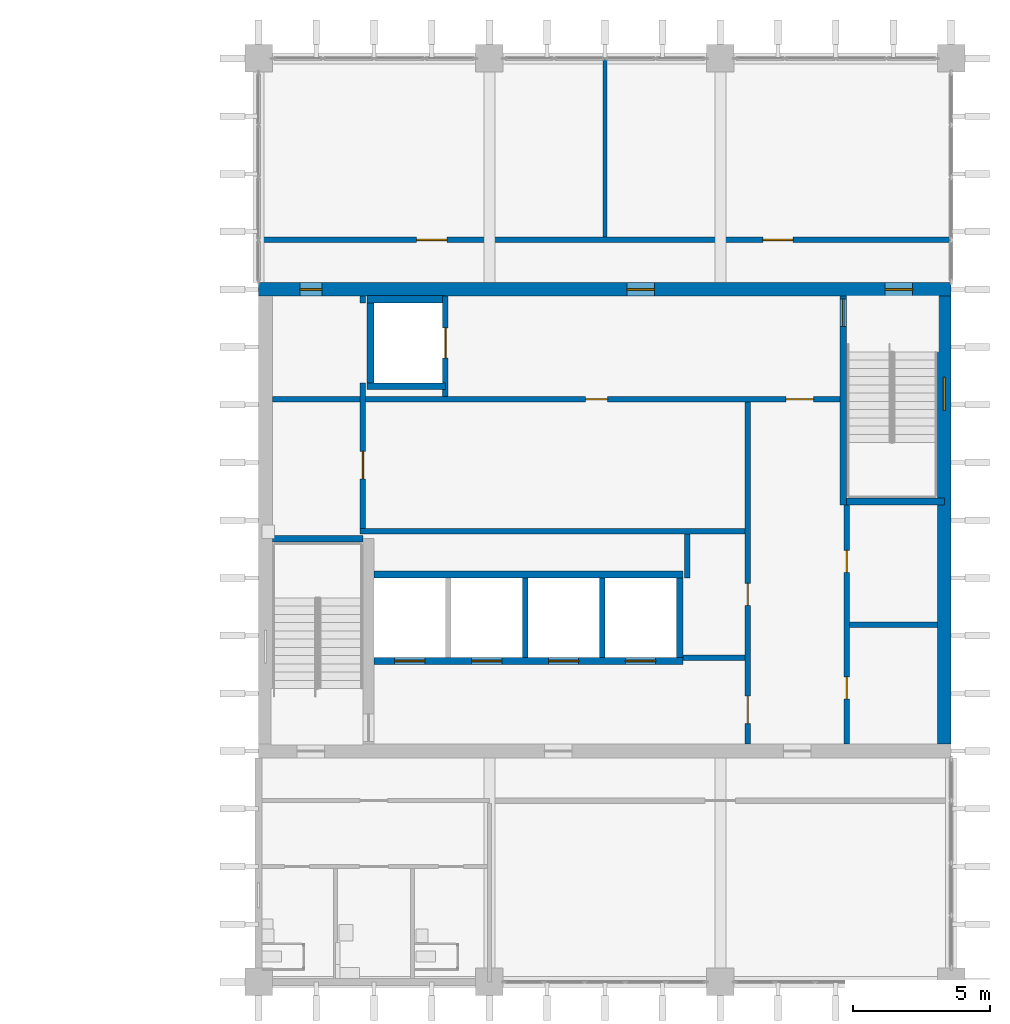
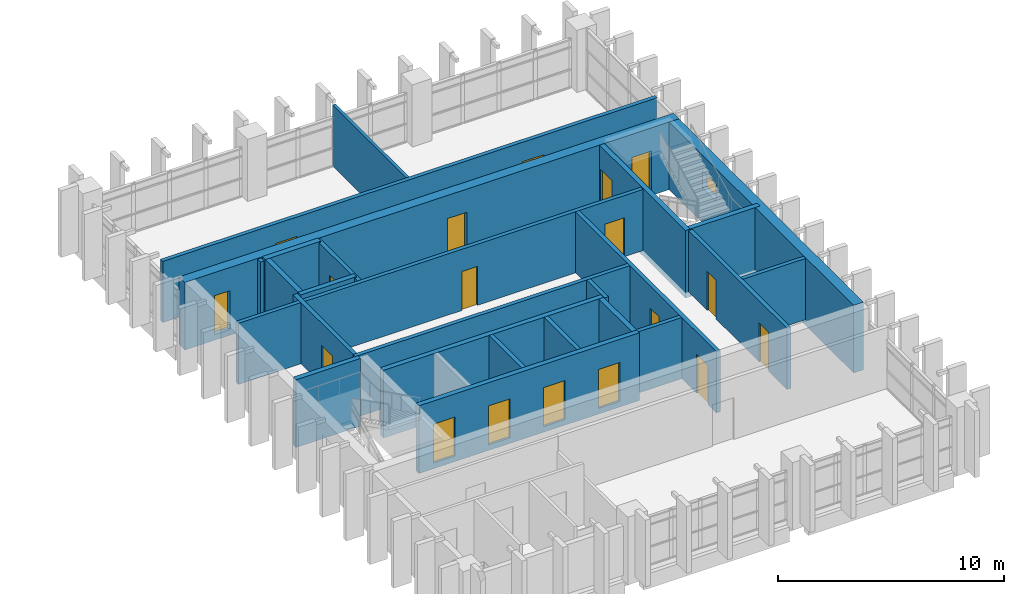
# One storey, part 18 of 24: 25 walls, 18 doors, 1 window, 19 openings.
"""IFC4 building model written with IfcOpenShell, lengths in metres."""

from ifc_helpers import new_model, si_unit, direction, frame, frame_2d, origin, place, context, subcontext, project, spatial, rectangle, extrude, material, layer, layer_set, type_object, element, fill, save


model = new_model("IFC4")

# Units and contexts
model_context = context("Model", 3, precision=1e-05, world=origin(), true_north=direction((0.0, 1.0)))
body_context = subcontext(model_context, "Body", "Model", "MODEL_VIEW")
ifc_project = project(units=[si_unit("LENGTHUNIT", "METRE"), si_unit("AREAUNIT", "SQUARE_METRE"), si_unit("VOLUMEUNIT", "CUBIC_METRE"), si_unit("PLANEANGLEUNIT", "RADIAN"), si_unit("MASSUNIT", "GRAM", prefix="KILO")], contexts=[model_context])

# Site, building, storey
site_placement = place(None, origin())
site = spatial("IfcSite", under=ifc_project, at=site_placement, CompositionType="ELEMENT")
building_placement = place(site_placement, origin())
building = spatial("IfcBuilding", under=site, at=building_placement, Name="Rulbaag Community and Learning Centre", CompositionType="ELEMENT")
storey_placement = place(building_placement, frame((0.0, 0.0, 14.39990234375)))
storey = spatial("IfcBuildingStorey", under=building, at=storey_placement, Name="L03", CompositionType="ELEMENT", Elevation=14.39990234375)

# Walls
ifc_material_1 = material(Name="Concrete blockwork", Category="masonry")
ifc_layer_1 = layer(ifc_material_1, 0.199951171875)
ifc_layer_set_1 = layer_set([ifc_layer_1], Name="FW-200 FIRE WALL 200")
wall_type_1 = type_object("IfcWallType", Name="FW-200 FIRE WALL 200", PredefinedType="SOLIDWALL", material=ifc_layer_set_1)
wall_1_placement = place(storey_placement, frame((158.25, 95.800048828125, 0.0), z_axis=(0.0, 0.0, 1.0), x_axis=(1.0, 0.0, 0.0)))
element("IfcWall", 1, at=wall_1_placement, inside=storey, type_object=wall_type_1, Name="Fire wall L03 14", PredefinedType="SOLIDWALL", context=body_context, shape_type="SweptSolid", body=[
    extrude(rectangle(XDim=2.25, YDim=0.199951171875, at=frame_2d((1.125, 0.0))), origin(), (0.0, 0.0, 1.0), 3.300048828125),
])
wall_2_placement = place(storey_placement, frame((164.300048828125, 97.0, 0.0), z_axis=(0.0, 0.0, 1.0), x_axis=(1.0, 0.0, 0.0)))
element("IfcWall", 2, at=wall_2_placement, inside=storey, type_object=wall_type_1, Name="Fire wall L03 15", PredefinedType="SOLIDWALL", context=body_context, shape_type="SweptSolid", body=[
    extrude(rectangle(XDim=3.199951171875, YDim=0.199951171875, at=frame_2d((1.60009765625, 0.0))), origin(), (0.0, 0.0, 1.0), 3.300048828125),
])
wall_3_placement = place(storey_placement, frame((146.5, 100.39990234375, 0.0), z_axis=(0.0, 0.0, 1.0), x_axis=(1.0, 0.0, 0.0)))
element("IfcWall", 3, at=wall_3_placement, inside=storey, type_object=wall_type_1, Name="Fire wall L03 17", PredefinedType="SOLIDWALL", context=body_context, shape_type="SweptSolid", body=[
    extrude(rectangle(XDim=14.0, YDim=0.199951171875, at=frame_2d((7.0, 0.0))), origin(), (0.0, 0.0, 1.0), 3.300048828125),
])

# Wall, openings, doors
wall_4_placement = place(storey_placement, frame((143.300048828125, 105.199951171875, 0.0), z_axis=(0.0, 0.0, 1.0), x_axis=(1.0, 0.0, 0.0)))
wall_4 = element("IfcWall", 4, at=wall_4_placement, inside=storey, type_object=wall_type_1, Name="Fire wall L03 18", PredefinedType="SOLIDWALL", context=body_context, shape_type="SweptSolid", body=[
    extrude(rectangle(XDim=20.64990234375, YDim=0.199951171875, at=frame_2d((10.324951171875, 0.0))), origin(), (0.0, 0.0, 1.0), 3.300048828125),
])
opening_1_placement = place(wall_4_placement, frame((11.39990234375, 0.0, 0.0)))
opening_1 = element("IfcOpeningElement", 5, at=opening_1_placement, cuts=wall_4, Name="Opening L03-D045", PredefinedType="OPENING", context=body_context, shape_type="SweptSolid", body=[
    extrude(rectangle(XDim=0.800048828125, YDim=2.10009765625, at=frame_2d((0.39990234375, 1.050048828125))), frame((0.0, 0.10986328125, 0.0), z_axis=(0.0, -1.0, 0.0), x_axis=(1.0, 0.0, 0.0)), (0.0, 0.0, 1.0), 0.219970703125),
])
opening_2_placement = place(wall_4_placement, frame((18.699951171875, 0.0, 0.0)))
opening_2 = element("IfcOpeningElement", 6, at=opening_2_placement, cuts=wall_4, Name="Opening L03-D055", PredefinedType="OPENING", context=body_context, shape_type="SweptSolid", body=[
    extrude(rectangle(XDim=1.0, YDim=2.10009765625, at=frame_2d((0.5, 1.050048828125))), frame((0.0, 0.10986328125, 0.0), z_axis=(0.0, -1.0, 0.0), x_axis=(1.0, 0.0, 0.0)), (0.0, 0.0, 1.0), 0.219970703125),
])
ifc_material_2 = material(Name="Galvanised steel", Category="steel")
door_type_1 = type_object("IfcDoorType", Name="FD-1000 FIRE DOOR 1000 x 2100", OperationType="SINGLE_SWING_LEFT", PredefinedType="DOOR", material=ifc_material_2)
door_1_placement = place(opening_2_placement, origin())
door_1 = element("IfcDoor", 7, at=door_1_placement, inside=storey, type_object=door_type_1, Name="Door L03-D055", OperationType="SINGLE_SWING_LEFT", OverallHeight=2.10009765625, OverallWidth=1.0, PredefinedType="DOOR", context=body_context, shape_type="SweptSolid", body=[
    extrude(rectangle(XDim=1.0, YDim=2.10009765625, at=frame_2d((0.5, 1.050048828125))), frame((0.0, 0.02490234375, 0.0), z_axis=(0.0, -1.0, 0.0), x_axis=(1.0, 0.0, 0.0)), (0.0, 0.0, 1.0), 0.050048828125),
])
fill(opening_2, door_1)
door_type_2 = type_object("IfcDoorType", Name="FDR-800 RISER FIRE DOOR 800 x 2100", OperationType="SINGLE_SWING_LEFT", PredefinedType="DOOR", material=ifc_material_2)
door_2_placement = place(opening_1_placement, origin())
door_2 = element("IfcDoor", 8, at=door_2_placement, inside=storey, type_object=door_type_2, Name="Riser door L03-D027", OperationType="SINGLE_SWING_RIGHT", OverallHeight=2.10009765625, OverallWidth=0.800048828125, PredefinedType="DOOR", context=body_context, shape_type="SweptSolid", body=[
    extrude(rectangle(XDim=0.800048828125, YDim=2.10009765625, at=frame_2d((0.39990234375, 1.050048828125))), frame((0.0, 0.02490234375, 0.0), z_axis=(0.0, -1.0, 0.0), x_axis=(1.0, 0.0, 0.0)), (0.0, 0.0, 1.0), 0.050048828125),
])
fill(opening_1, door_2)

wall_5_placement = place(storey_placement, frame((142.800048828125, 111.0, 0.0), z_axis=(0.0, 0.0, 1.0), x_axis=(1.0, 0.0, 0.0)))
wall_5 = element("IfcWall", 9, at=wall_5_placement, inside=storey, type_object=wall_type_1, Name="Fire wall L03 19", PredefinedType="SOLIDWALL", context=body_context, shape_type="SweptSolid", body=[
    extrude(rectangle(XDim=25.199951171875, YDim=0.199951171875, at=frame_2d((12.60009765625, 0.0))), origin(), (0.0, 0.0, 1.0), 3.300048828125),
])
opening_3_placement = place(wall_5_placement, frame((5.75, 0.0, 0.0)))
opening_3 = element("IfcOpeningElement", 10, at=opening_3_placement, cuts=wall_5, Name="Opening L03-D038", PredefinedType="OPENING", context=body_context, shape_type="SweptSolid", body=[
    extrude(rectangle(XDim=1.10009765625, YDim=2.25, at=frame_2d((0.550048828125, 1.125))), frame((0.0, 0.10986328125, 0.0), z_axis=(0.0, -1.0, 0.0), x_axis=(1.0, 0.0, 0.0)), (0.0, 0.0, 1.0), 0.219970703125),
])
opening_4_placement = place(wall_5_placement, frame((18.35009765625, 0.0, 0.0)))
opening_4 = element("IfcOpeningElement", 11, at=opening_4_placement, cuts=wall_5, Name="Opening L03-D052", PredefinedType="OPENING", context=body_context, shape_type="SweptSolid", body=[
    extrude(rectangle(XDim=1.10009765625, YDim=2.25, at=frame_2d((0.550048828125, 1.125))), frame((0.0, 0.10986328125, 0.0), z_axis=(0.0, -1.0, 0.0), x_axis=(1.0, 0.0, 0.0)), (0.0, 0.0, 1.0), 0.219970703125),
])
ifc_material_3 = material(Name="Timber", Category="wood")
door_type_3 = type_object("IfcDoorType", Name="D-1100 OFFICE SUITE ENTRANCE DOOR 1100 x 2250", OperationType="SINGLE_SWING_LEFT", PredefinedType="DOOR", material=ifc_material_3)
door_3_placement = place(opening_3_placement, origin())
door_3 = element("IfcDoor", 12, at=door_3_placement, inside=storey, type_object=door_type_3, Name="Door L03-D038", OperationType="SINGLE_SWING_RIGHT", OverallHeight=2.25, OverallWidth=1.10009765625, PredefinedType="DOOR", context=body_context, shape_type="SweptSolid", body=[
    extrude(rectangle(XDim=1.10009765625, YDim=2.25, at=frame_2d((0.550048828125, 1.125))), frame((0.0, 0.02490234375, 0.0), z_axis=(0.0, -1.0, 0.0), x_axis=(1.0, 0.0, 0.0)), (0.0, 0.0, 1.0), 0.050048828125),
])
fill(opening_3, door_3)
door_4_placement = place(opening_4_placement, origin())
door_4 = element("IfcDoor", 13, at=door_4_placement, inside=storey, type_object=door_type_3, Name="Door L03-D052", OperationType="SINGLE_SWING_LEFT", OverallHeight=2.25, OverallWidth=1.10009765625, PredefinedType="DOOR", context=body_context, shape_type="SweptSolid", body=[
    extrude(rectangle(XDim=1.10009765625, YDim=2.25, at=frame_2d((0.550048828125, 1.125))), frame((0.0, 0.02490234375, 0.0), z_axis=(0.0, -1.0, 0.0), x_axis=(1.0, 0.0, 0.0)), (0.0, 0.0, 1.0), 0.050048828125),
])
fill(opening_4, door_4)

# Wall, opening, door
wall_6_placement = place(storey_placement, frame((146.60009765625, 100.5, 0.0), z_axis=(0.0, 0.0, 1.0), x_axis=(0.0, 1.0, 0.0)))
wall_6 = element("IfcWall", 14, at=wall_6_placement, inside=storey, type_object=wall_type_1, Name="Fire wall L03 23", PredefinedType="SOLIDWALL", context=body_context, shape_type="SweptSolid", body=[
    extrude(rectangle(XDim=5.300048828125, YDim=0.199951171875, at=frame_2d((2.64990234375, 0.0))), origin(), (0.0, 0.0, 1.0), 3.300048828125),
])
opening_5_placement = place(wall_6_placement, frame((1.800048828125, 0.0, 0.0)))
opening_5 = element("IfcOpeningElement", 15, at=opening_5_placement, cuts=wall_6, Name="Opening L03-D033", PredefinedType="OPENING", context=body_context, shape_type="SweptSolid", body=[
    extrude(rectangle(XDim=1.0, YDim=2.10009765625, at=frame_2d((0.5, 1.050048828125))), frame((0.0, 0.10986328125, 0.0), z_axis=(0.0, -1.0, 0.0), x_axis=(1.0, 0.0, 0.0)), (0.0, 0.0, 1.0), 0.219970703125),
])
door_5_placement = place(opening_5_placement, origin())
door_5 = element("IfcDoor", 16, at=door_5_placement, inside=storey, type_object=door_type_1, Name="Door L03-D033", OperationType="SINGLE_SWING_LEFT", OverallHeight=2.10009765625, OverallWidth=1.0, PredefinedType="DOOR", context=body_context, shape_type="SweptSolid", body=[
    extrude(rectangle(XDim=1.0, YDim=2.10009765625, at=frame_2d((0.5, 1.050048828125))), frame((0.0, 0.02490234375, 0.0), z_axis=(0.0, -1.0, 0.0), x_axis=(1.0, 0.0, 0.0)), (0.0, 0.0, 1.0), 0.050048828125),
])
fill(opening_5, door_5)

# Wall
wall_7_placement = place(storey_placement, frame((146.60009765625, 108.699951171875, 0.0), z_axis=(0.0, 0.0, 1.0), x_axis=(0.0, 1.0, 0.0)))
element("IfcWall", 17, at=wall_7_placement, inside=storey, type_object=wall_type_1, Name="Fire wall L03 24", PredefinedType="SOLIDWALL", context=body_context, shape_type="SweptSolid", body=[
    extrude(rectangle(XDim=0.25, YDim=0.199951171875, at=frame_2d((0.125, 0.0))), origin(), (0.0, 0.0, 1.0), 3.300048828125),
])

# Wall, opening, door
wall_8_placement = place(storey_placement, frame((149.60009765625, 105.300048828125, 0.0), z_axis=(0.0, 0.0, 1.0), x_axis=(0.0, 1.0, 0.0)))
wall_8 = element("IfcWall", 18, at=wall_8_placement, inside=storey, type_object=wall_type_1, Name="Fire wall L03 26", PredefinedType="SOLIDWALL", context=body_context, shape_type="SweptSolid", body=[
    extrude(rectangle(XDim=3.64990234375, YDim=0.199951171875, at=frame_2d((1.824951171875, 0.0))), origin(), (0.0, 0.0, 1.0), 3.300048828125),
])
opening_6_placement = place(wall_8_placement, frame((1.39990234375, 0.0, 0.0)))
opening_6 = element("IfcOpeningElement", 19, at=opening_6_placement, cuts=wall_8, Name="Opening L03-D039", PredefinedType="OPENING", context=body_context, shape_type="SweptSolid", body=[
    extrude(rectangle(XDim=1.10009765625, YDim=2.10009765625, at=frame_2d((0.550048828125, 1.050048828125))), frame((0.0, 0.10986328125, 0.0), z_axis=(0.0, -1.0, 0.0), x_axis=(1.0, 0.0, 0.0)), (0.0, 0.0, 1.0), 0.219970703125),
])
ifc_material_4 = material(Name="Stainless steel grade 304", Category="steel")
door_type_4 = type_object("IfcDoorType", Name="LD-1100 LIFT LANDING DOOR 1100 x 2100", OperationType="SLIDING_TO_LEFT", PredefinedType="DOOR", material=ifc_material_4)
door_6_placement = place(opening_6_placement, origin())
door_6 = element("IfcDoor", 20, at=door_6_placement, inside=storey, type_object=door_type_4, Name="Lift landing door LF1 L03", OperationType="SLIDING_TO_LEFT", OverallHeight=2.10009765625, OverallWidth=1.10009765625, PredefinedType="DOOR", context=body_context, shape_type="SweptSolid", body=[
    extrude(rectangle(XDim=1.10009765625, YDim=2.10009765625, at=frame_2d((0.550048828125, 1.050048828125))), frame((0.0, 0.02490234375, 0.0), z_axis=(0.0, -1.0, 0.0), x_axis=(1.0, 0.0, 0.0)), (0.0, 0.0, 1.0), 0.050048828125),
])
fill(opening_6, door_6)

# Wall
wall_9_placement = place(storey_placement, frame((158.39990234375, 98.699951171875, 0.0), z_axis=(0.0, 0.0, 1.0), x_axis=(0.0, 1.0, 0.0)))
element("IfcWall", 21, at=wall_9_placement, inside=storey, type_object=wall_type_1, Name="Fire wall L03 29", PredefinedType="SOLIDWALL", context=body_context, shape_type="SweptSolid", body=[
    extrude(rectangle(XDim=1.60009765625, YDim=0.199951171875, at=frame_2d((0.800048828125, 0.0))), origin(), (0.0, 0.0, 1.0), 3.300048828125),
])

# Wall, openings, doors
wall_10_placement = place(storey_placement, frame((160.60009765625, 92.64990234375, 0.0), z_axis=(0.0, 0.0, 1.0), x_axis=(0.0, 1.0, 0.0)))
wall_10 = element("IfcWall", 22, at=wall_10_placement, inside=storey, type_object=wall_type_1, Name="Fire wall L03 30", PredefinedType="SOLIDWALL", context=body_context, shape_type="SweptSolid", body=[
    extrude(rectangle(XDim=12.4501953125, YDim=0.199951171875, at=frame_2d((6.22509765625, 0.0))), origin(), (0.0, 0.0, 1.0), 3.300048828125),
])
opening_7_placement = place(wall_10_placement, frame((5.050048828125, 0.0, 0.0)))
opening_7 = element("IfcOpeningElement", 23, at=opening_7_placement, cuts=wall_10, Name="Opening L03-D050", PredefinedType="OPENING", context=body_context, shape_type="SweptSolid", body=[
    extrude(rectangle(XDim=0.800048828125, YDim=2.10009765625, at=frame_2d((0.39990234375, 1.050048828125))), frame((0.0, 0.10986328125, 0.0), z_axis=(0.0, -1.0, 0.0), x_axis=(1.0, 0.0, 0.0)), (0.0, 0.0, 1.0), 0.219970703125),
])
opening_8_placement = place(wall_10_placement, frame((0.75, 0.0, 0.0)))
opening_8 = element("IfcOpeningElement", 24, at=opening_8_placement, cuts=wall_10, Name="Opening L03-D049", PredefinedType="OPENING", context=body_context, shape_type="SweptSolid", body=[
    extrude(rectangle(XDim=1.0, YDim=2.10009765625, at=frame_2d((0.5, 1.050048828125))), frame((0.0, 0.10986328125, 0.0), z_axis=(0.0, -1.0, 0.0), x_axis=(1.0, 0.0, 0.0)), (0.0, 0.0, 1.0), 0.219970703125),
])
door_7_placement = place(opening_8_placement, origin())
door_7 = element("IfcDoor", 25, at=door_7_placement, inside=storey, type_object=door_type_1, Name="Door L03-D049", OperationType="SINGLE_SWING_LEFT", OverallHeight=2.10009765625, OverallWidth=1.0, PredefinedType="DOOR", context=body_context, shape_type="SweptSolid", body=[
    extrude(rectangle(XDim=1.0, YDim=2.10009765625, at=frame_2d((0.5, 1.050048828125))), frame((0.0, 0.02490234375, 0.0), z_axis=(0.0, -1.0, 0.0), x_axis=(1.0, 0.0, 0.0)), (0.0, 0.0, 1.0), 0.050048828125),
])
fill(opening_8, door_7)
door_8_placement = place(opening_7_placement, origin())
door_8 = element("IfcDoor", 26, at=door_8_placement, inside=storey, type_object=door_type_2, Name="Riser door L03-D026", OperationType="SINGLE_SWING_RIGHT", OverallHeight=2.10009765625, OverallWidth=0.800048828125, PredefinedType="DOOR", context=body_context, shape_type="SweptSolid", body=[
    extrude(rectangle(XDim=0.800048828125, YDim=2.10009765625, at=frame_2d((0.39990234375, 1.050048828125))), frame((0.0, 0.02490234375, 0.0), z_axis=(0.0, -1.0, 0.0), x_axis=(1.0, 0.0, 0.0)), (0.0, 0.0, 1.0), 0.050048828125),
])
fill(opening_7, door_8)

wall_11_placement = place(storey_placement, frame((164.199951171875, 92.64990234375, 0.0), z_axis=(0.0, 0.0, 1.0), x_axis=(0.0, 1.0, 0.0)))
wall_11 = element("IfcWall", 27, at=wall_11_placement, inside=storey, type_object=wall_type_1, Name="Fire wall L03 31", PredefinedType="SOLIDWALL", context=body_context, shape_type="SweptSolid", body=[
    extrude(rectangle(XDim=8.7001953125, YDim=0.199951171875, at=frame_2d((4.35009765625, 0.0))), origin(), (0.0, 0.0, 1.0), 3.300048828125),
])
opening_9_placement = place(wall_11_placement, frame((1.64990234375, 0.0, 0.0)))
opening_9 = element("IfcOpeningElement", 28, at=opening_9_placement, cuts=wall_11, Name="Opening L03-D059", PredefinedType="OPENING", context=body_context, shape_type="SweptSolid", body=[
    extrude(rectangle(XDim=0.800048828125, YDim=2.10009765625, at=frame_2d((0.39990234375, 1.050048828125))), frame((0.0, 0.10986328125, 0.0), z_axis=(0.0, -1.0, 0.0), x_axis=(1.0, 0.0, 0.0)), (0.0, 0.0, 1.0), 0.219970703125),
])
opening_10_placement = place(wall_11_placement, frame((6.25, 0.0, 0.0)))
opening_10 = element("IfcOpeningElement", 29, at=opening_10_placement, cuts=wall_11, Name="Opening L03-D060", PredefinedType="OPENING", context=body_context, shape_type="SweptSolid", body=[
    extrude(rectangle(XDim=0.800048828125, YDim=2.10009765625, at=frame_2d((0.39990234375, 1.050048828125))), frame((0.0, 0.10986328125, 0.0), z_axis=(0.0, -1.0, 0.0), x_axis=(1.0, 0.0, 0.0)), (0.0, 0.0, 1.0), 0.219970703125),
])
door_9_placement = place(opening_9_placement, origin())
door_9 = element("IfcDoor", 30, at=door_9_placement, inside=storey, type_object=door_type_2, Name="Riser door L03-D024", OperationType="SINGLE_SWING_LEFT", OverallHeight=2.10009765625, OverallWidth=0.800048828125, PredefinedType="DOOR", context=body_context, shape_type="SweptSolid", body=[
    extrude(rectangle(XDim=0.800048828125, YDim=2.10009765625, at=frame_2d((0.39990234375, 1.050048828125))), frame((0.0, 0.02490234375, 0.0), z_axis=(0.0, -1.0, 0.0), x_axis=(1.0, 0.0, 0.0)), (0.0, 0.0, 1.0), 0.050048828125),
])
fill(opening_9, door_9)
door_10_placement = place(opening_10_placement, origin())
door_10 = element("IfcDoor", 31, at=door_10_placement, inside=storey, type_object=door_type_2, Name="Riser door L03-D025", OperationType="SINGLE_SWING_RIGHT", OverallHeight=2.10009765625, OverallWidth=0.800048828125, PredefinedType="DOOR", context=body_context, shape_type="SweptSolid", body=[
    extrude(rectangle(XDim=0.800048828125, YDim=2.10009765625, at=frame_2d((0.39990234375, 1.050048828125))), frame((0.0, 0.02490234375, 0.0), z_axis=(0.0, -1.0, 0.0), x_axis=(1.0, 0.0, 0.0)), (0.0, 0.0, 1.0), 0.050048828125),
])
fill(opening_10, door_10)

# Walls
ifc_layer_2 = layer(ifc_material_1, 0.14990234375)
ifc_layer_set_2 = layer_set([ifc_layer_2], Name="IP-150 PARTITION 150")
wall_type_2 = type_object("IfcWallType", Name="IP-150 PARTITION 150", PredefinedType="PARTITIONING", material=ifc_layer_set_2)
wall_12_placement = place(storey_placement, frame((155.39990234375, 111.10009765625, 0.0), z_axis=(0.0, 0.0, 1.0), x_axis=(0.0, 1.0, 0.0)))
element("IfcWall", 32, at=wall_12_placement, inside=storey, type_object=wall_type_2, Name="Partition L03 28", PredefinedType="PARTITIONING", context=body_context, shape_type="SweptSolid", body=[
    extrude(rectangle(XDim=6.5, YDim=0.14990234375, at=frame_2d((3.25, 0.0))), origin(), (0.0, 0.0, 1.0), 3.300048828125),
])
ifc_material_5 = material(Name="Concrete M40", Category="concrete")
ifc_layer_3 = layer(ifc_material_5, 0.27490234375)
ifc_layer_set_3 = layer_set([ifc_layer_3], Name="W16 Shaft wall 275 Concrete M40")
wall_type_3 = type_object("IfcWallType", Name="W16 Shaft wall 275 Concrete M40", PredefinedType="SHEAR", material=ifc_layer_set_3)
wall_13_placement = place(storey_placement, frame((146.75, 108.83740234375, -0.2998046875), z_axis=(0.0, 0.0, 1.0), x_axis=(1.0, 0.0, 0.0)))
element("IfcWall", 33, at=wall_13_placement, inside=storey, type_object=wall_type_3, Name="WL-LF-N-L03", PredefinedType="SHEAR", context=body_context, shape_type="SweptSolid", body=[
    extrude(rectangle(XDim=2.85009765625, YDim=0.27490234375, at=frame_2d((1.425048828125, 0.0))), origin(), (0.0, 0.0, 1.0), 3.64990234375),
])

# Wall, openings, doors
ifc_material_6 = material(Name="Concrete M60", Category="concrete")
ifc_layer_4 = layer(ifc_material_6, 0.5)
ifc_layer_set_4 = layer_set([ifc_layer_4], Name="W4 Core wall 500 Concrete M60")
wall_type_4 = type_object("IfcWallType", Name="W4 Core wall 500 Concrete M60", PredefinedType="SHEAR", material=ifc_layer_set_4)
wall_14_placement = place(storey_placement, frame((142.800048828125, 109.199951171875, -0.2998046875), z_axis=(0.0, 0.0, 1.0), x_axis=(1.0, 0.0, 0.0)))
wall_14 = element("IfcWall", 34, at=wall_14_placement, inside=storey, type_object=wall_type_4, Name="WL-CORE-N-L03", PredefinedType="SHEAR", context=body_context, shape_type="SweptSolid", body=[
    extrude(rectangle(XDim=25.199951171875, YDim=0.5, at=frame_2d((12.60009765625, 0.0))), origin(), (0.0, 0.0, 1.0), 3.64990234375),
])
opening_11_placement = place(wall_14_placement, frame((22.800048828125, 0.0, 0.300048828125)))
opening_11 = element("IfcOpeningElement", 35, at=opening_11_placement, cuts=wall_14, Name="Opening L03-D061", PredefinedType="OPENING", context=body_context, shape_type="SweptSolid", body=[
    extrude(rectangle(XDim=1.0, YDim=2.10009765625, at=frame_2d((0.5, 1.050048828125))), frame((0.0, 0.260009765625, 0.0), z_axis=(0.0, -1.0, 0.0), x_axis=(1.0, 0.0, 0.0)), (0.0, 0.0, 1.0), 0.52001953125),
])
opening_12_placement = place(wall_14_placement, frame((1.5, 0.0, 0.300048828125)))
opening_12 = element("IfcOpeningElement", 36, at=opening_12_placement, cuts=wall_14, Name="Opening L03-D032", PredefinedType="OPENING", context=body_context, shape_type="SweptSolid", body=[
    extrude(rectangle(XDim=0.800048828125, YDim=2.10009765625, at=frame_2d((0.39990234375, 1.050048828125))), frame((0.0, 0.260009765625, 0.0), z_axis=(0.0, -1.0, 0.0), x_axis=(1.0, 0.0, 0.0)), (0.0, 0.0, 1.0), 0.52001953125),
])
opening_13_placement = place(wall_14_placement, frame((13.39990234375, 0.0, 0.300048828125)))
opening_13 = element("IfcOpeningElement", 37, at=opening_13_placement, cuts=wall_14, Name="Opening L03-D047", PredefinedType="OPENING", context=body_context, shape_type="SweptSolid", body=[
    extrude(rectangle(XDim=1.0, YDim=2.10009765625, at=frame_2d((0.5, 1.050048828125))), frame((0.0, 0.260009765625, 0.0), z_axis=(0.0, -1.0, 0.0), x_axis=(1.0, 0.0, 0.0)), (0.0, 0.0, 1.0), 0.52001953125),
])
door_11_placement = place(opening_11_placement, origin())
door_11 = element("IfcDoor", 38, at=door_11_placement, inside=storey, type_object=door_type_1, Name="Door L03-D061", OperationType="SINGLE_SWING_LEFT", OverallHeight=2.10009765625, OverallWidth=1.0, PredefinedType="DOOR", context=body_context, shape_type="SweptSolid", body=[
    extrude(rectangle(XDim=1.0, YDim=2.10009765625, at=frame_2d((0.5, 1.050048828125))), frame((0.0, 0.02490234375, 0.0), z_axis=(0.0, -1.0, 0.0), x_axis=(1.0, 0.0, 0.0)), (0.0, 0.0, 1.0), 0.050048828125),
])
fill(opening_11, door_11)
door_12_placement = place(opening_13_placement, origin())
door_12 = element("IfcDoor", 39, at=door_12_placement, inside=storey, type_object=door_type_1, Name="Door L03-D047", OperationType="SINGLE_SWING_LEFT", OverallHeight=2.10009765625, OverallWidth=1.0, PredefinedType="DOOR", context=body_context, shape_type="SweptSolid", body=[
    extrude(rectangle(XDim=1.0, YDim=2.10009765625, at=frame_2d((0.5, 1.050048828125))), frame((0.0, 0.02490234375, 0.0), z_axis=(0.0, -1.0, 0.0), x_axis=(1.0, 0.0, 0.0)), (0.0, 0.0, 1.0), 0.050048828125),
])
fill(opening_13, door_12)
door_13_placement = place(opening_12_placement, origin())
door_13 = element("IfcDoor", 40, at=door_13_placement, inside=storey, type_object=door_type_2, Name="Riser door L03-D029", OperationType="SINGLE_SWING_LEFT", OverallHeight=2.10009765625, OverallWidth=0.800048828125, PredefinedType="DOOR", context=body_context, shape_type="SweptSolid", body=[
    extrude(rectangle(XDim=0.800048828125, YDim=2.10009765625, at=frame_2d((0.39990234375, 1.050048828125))), frame((0.0, 0.02490234375, 0.0), z_axis=(0.0, -1.0, 0.0), x_axis=(1.0, 0.0, 0.0)), (0.0, 0.0, 1.0), 0.050048828125),
])
fill(opening_12, door_13)

# Wall, opening, window
wall_15_placement = place(storey_placement, frame((167.75, 92.64990234375, -0.2998046875), z_axis=(0.0, 0.0, 1.0), x_axis=(0.0, 1.0, 0.0)))
wall_15 = element("IfcWall", 41, at=wall_15_placement, inside=storey, type_object=wall_type_4, Name="WL-CORE-E-L03", PredefinedType="SHEAR", context=body_context, shape_type="SweptSolid", body=[
    extrude(rectangle(XDim=16.300048828125, YDim=0.5, at=frame_2d((8.14990234375, 0.0))), origin(), (0.0, 0.0, 1.0), 3.64990234375),
])
opening_14_placement = place(wall_15_placement, frame((12.14990234375, 0.0, 1.89990234375)))
opening_14 = element("IfcOpeningElement", 42, at=opening_14_placement, cuts=wall_15, Name="Opening WN19", PredefinedType="OPENING", context=body_context, shape_type="SweptSolid", body=[
    extrude(rectangle(XDim=1.199951171875, YDim=0.89990234375, at=frame_2d((0.60009765625, 0.449951171875))), frame((0.0, 0.260009765625, 0.0), z_axis=(0.0, -1.0, 0.0), x_axis=(1.0, 0.0, 0.0)), (0.0, 0.0, 1.0), 0.52001953125),
])
ifc_material_7 = material(Name="Aluminium", Category="aluminium")
window_type = type_object("IfcWindowType", Name="WS-12", PartitioningType="SINGLE_PANEL", PredefinedType="WINDOW", material=ifc_material_7)
window_placement = place(opening_14_placement, origin())
window = element("IfcWindow", 43, at=window_placement, inside=storey, type_object=window_type, Name="Stair window", OverallHeight=0.89990234375, OverallWidth=1.199951171875, PartitioningType="SINGLE_PANEL", PredefinedType="WINDOW", context=body_context, shape_type="SweptSolid", body=[
    extrude(rectangle(XDim=1.199951171875, YDim=0.89990234375, at=frame_2d((0.60009765625, 0.449951171875))), frame((0.0, 0.030029296875, 0.0), z_axis=(0.0, -1.0, 0.0), x_axis=(1.0, 0.0, 0.0)), (0.0, 0.0, 1.0), 0.06005859375),
])
fill(opening_14, window)

# Wall
ifc_layer_5 = layer(ifc_material_5, 0.25)
ifc_layer_set_5 = layer_set([ifc_layer_5], Name="W5 Shaft wall 250 Concrete M40")
wall_type_5 = type_object("IfcWallType", Name="W5 Shaft wall 250 Concrete M40", PredefinedType="SHEAR", material=ifc_layer_set_5)
wall_16_placement = place(storey_placement, frame((143.300048828125, 100.125, -0.2998046875), z_axis=(0.0, 0.0, 1.0), x_axis=(1.0, 0.0, 0.0)))
element("IfcWall", 44, at=wall_16_placement, inside=storey, type_object=wall_type_5, Name="WL-ST1-N-L03", PredefinedType="SHEAR", context=body_context, shape_type="SweptSolid", body=[
    extrude(rectangle(XDim=3.300048828125, YDim=0.25, at=frame_2d((1.64990234375, 0.0))), origin(), (0.0, 0.0, 1.0), 3.64990234375),
])

# Wall, opening, door
wall_17_placement = place(storey_placement, frame((164.074951171875, 101.35009765625, -0.2998046875), z_axis=(0.0, 0.0, 1.0), x_axis=(0.0, 1.0, 0.0)))
wall_17 = element("IfcWall", 45, at=wall_17_placement, inside=storey, type_object=wall_type_5, Name="WL-ST2-W-L03", PredefinedType="SHEAR", context=body_context, shape_type="SweptSolid", body=[
    extrude(rectangle(XDim=7.599853515625, YDim=0.25, at=frame_2d((3.7998046875, 0.0))), origin(), (0.0, 0.0, 1.0), 3.64990234375),
])
opening_15_placement = place(wall_17_placement, frame((6.5, 0.0, 0.300048828125)))
opening_15 = element("IfcOpeningElement", 46, at=opening_15_placement, cuts=wall_17, Name="Opening L03-D058", PredefinedType="OPENING", context=body_context, shape_type="SweptSolid", body=[
    extrude(rectangle(XDim=1.0, YDim=2.10009765625, at=frame_2d((0.5, 1.050048828125))), frame((0.0, 0.135009765625, 0.0), z_axis=(0.0, -1.0, 0.0), x_axis=(1.0, 0.0, 0.0)), (0.0, 0.0, 1.0), 0.27001953125),
])
door_14_placement = place(opening_15_placement, origin())
door_14 = element("IfcDoor", 47, at=door_14_placement, inside=storey, type_object=door_type_1, Name="Door L03-D058", OperationType="SINGLE_SWING_LEFT", OverallHeight=2.10009765625, OverallWidth=1.0, PredefinedType="DOOR", context=body_context, shape_type="SweptSolid", body=[
    extrude(rectangle(XDim=1.0, YDim=2.10009765625, at=frame_2d((0.5, 1.050048828125))), frame((0.0, 0.02490234375, 0.0), z_axis=(0.0, -1.0, 0.0), x_axis=(1.0, 0.0, 0.0)), (0.0, 0.0, 1.0), 0.050048828125),
])
fill(opening_15, door_14)

# Wall
wall_18_placement = place(storey_placement, frame((164.199951171875, 101.47509765625, -0.2998046875), z_axis=(0.0, 0.0, 1.0), x_axis=(1.0, 0.0, 0.0)))
element("IfcWall", 48, at=wall_18_placement, inside=storey, type_object=wall_type_5, Name="WL-ST2-S-L03", PredefinedType="SHEAR", context=body_context, shape_type="SweptSolid", body=[
    extrude(rectangle(XDim=3.550048828125, YDim=0.25, at=frame_2d((1.77490234375, 0.0))), origin(), (0.0, 0.0, 1.0), 3.64990234375),
])

# Wall, openings, doors
wall_19_placement = place(storey_placement, frame((147.0, 95.675048828125, -0.2998046875), z_axis=(0.0, 0.0, 1.0), x_axis=(1.0, 0.0, 0.0)))
wall_19 = element("IfcWall", 49, at=wall_19_placement, inside=storey, type_object=wall_type_5, Name="WL-LP-S-L03", PredefinedType="SHEAR", context=body_context, shape_type="SweptSolid", body=[
    extrude(rectangle(XDim=11.25, YDim=0.25, at=frame_2d((5.625, 0.0))), origin(), (0.0, 0.0, 1.0), 3.64990234375),
])
opening_16_placement = place(wall_19_placement, frame((0.75, 0.0, 0.300048828125)))
opening_16 = element("IfcOpeningElement", 50, at=opening_16_placement, cuts=wall_19, Name="Opening L03-D037", PredefinedType="OPENING", context=body_context, shape_type="SweptSolid", body=[
    extrude(rectangle(XDim=1.10009765625, YDim=2.10009765625, at=frame_2d((0.550048828125, 1.050048828125))), frame((0.0, 0.135009765625, 0.0), z_axis=(0.0, -1.0, 0.0), x_axis=(1.0, 0.0, 0.0)), (0.0, 0.0, 1.0), 0.27001953125),
])
opening_17_placement = place(wall_19_placement, frame((3.550048828125, 0.0, 0.300048828125)))
opening_17 = element("IfcOpeningElement", 51, at=opening_17_placement, cuts=wall_19, Name="Opening L03-D042", PredefinedType="OPENING", context=body_context, shape_type="SweptSolid", body=[
    extrude(rectangle(XDim=1.10009765625, YDim=2.10009765625, at=frame_2d((0.550048828125, 1.050048828125))), frame((0.0, 0.135009765625, 0.0), z_axis=(0.0, -1.0, 0.0), x_axis=(1.0, 0.0, 0.0)), (0.0, 0.0, 1.0), 0.27001953125),
])
opening_18_placement = place(wall_19_placement, frame((6.35009765625, 0.0, 0.300048828125)))
opening_18 = element("IfcOpeningElement", 52, at=opening_18_placement, cuts=wall_19, Name="Opening L03-D044", PredefinedType="OPENING", context=body_context, shape_type="SweptSolid", body=[
    extrude(rectangle(XDim=1.10009765625, YDim=2.10009765625, at=frame_2d((0.550048828125, 1.050048828125))), frame((0.0, 0.135009765625, 0.0), z_axis=(0.0, -1.0, 0.0), x_axis=(1.0, 0.0, 0.0)), (0.0, 0.0, 1.0), 0.27001953125),
])
opening_19_placement = place(wall_19_placement, frame((9.14990234375, 0.0, 0.300048828125)))
opening_19 = element("IfcOpeningElement", 53, at=opening_19_placement, cuts=wall_19, Name="Opening L03-D046", PredefinedType="OPENING", context=body_context, shape_type="SweptSolid", body=[
    extrude(rectangle(XDim=1.10009765625, YDim=2.10009765625, at=frame_2d((0.550048828125, 1.050048828125))), frame((0.0, 0.135009765625, 0.0), z_axis=(0.0, -1.0, 0.0), x_axis=(1.0, 0.0, 0.0)), (0.0, 0.0, 1.0), 0.27001953125),
])
door_15_placement = place(opening_16_placement, origin())
door_15 = element("IfcDoor", 54, at=door_15_placement, inside=storey, type_object=door_type_4, Name="Lift landing door LP1 L03", OperationType="SLIDING_TO_LEFT", OverallHeight=2.10009765625, OverallWidth=1.10009765625, PredefinedType="DOOR", context=body_context, shape_type="SweptSolid", body=[
    extrude(rectangle(XDim=1.10009765625, YDim=2.10009765625, at=frame_2d((0.550048828125, 1.050048828125))), frame((0.0, 0.02490234375, 0.0), z_axis=(0.0, -1.0, 0.0), x_axis=(1.0, 0.0, 0.0)), (0.0, 0.0, 1.0), 0.050048828125),
])
fill(opening_16, door_15)
door_16_placement = place(opening_17_placement, origin())
door_16 = element("IfcDoor", 55, at=door_16_placement, inside=storey, type_object=door_type_4, Name="Lift landing door LP2 L03", OperationType="SLIDING_TO_LEFT", OverallHeight=2.10009765625, OverallWidth=1.10009765625, PredefinedType="DOOR", context=body_context, shape_type="SweptSolid", body=[
    extrude(rectangle(XDim=1.10009765625, YDim=2.10009765625, at=frame_2d((0.550048828125, 1.050048828125))), frame((0.0, 0.02490234375, 0.0), z_axis=(0.0, -1.0, 0.0), x_axis=(1.0, 0.0, 0.0)), (0.0, 0.0, 1.0), 0.050048828125),
])
fill(opening_17, door_16)
door_17_placement = place(opening_18_placement, origin())
door_17 = element("IfcDoor", 56, at=door_17_placement, inside=storey, type_object=door_type_4, Name="Lift landing door LP3 L03", OperationType="SLIDING_TO_LEFT", OverallHeight=2.10009765625, OverallWidth=1.10009765625, PredefinedType="DOOR", context=body_context, shape_type="SweptSolid", body=[
    extrude(rectangle(XDim=1.10009765625, YDim=2.10009765625, at=frame_2d((0.550048828125, 1.050048828125))), frame((0.0, 0.02490234375, 0.0), z_axis=(0.0, -1.0, 0.0), x_axis=(1.0, 0.0, 0.0)), (0.0, 0.0, 1.0), 0.050048828125),
])
fill(opening_18, door_17)
door_18_placement = place(opening_19_placement, origin())
door_18 = element("IfcDoor", 57, at=door_18_placement, inside=storey, type_object=door_type_4, Name="Lift landing door LP4 L03", OperationType="SLIDING_TO_LEFT", OverallHeight=2.10009765625, OverallWidth=1.10009765625, PredefinedType="DOOR", context=body_context, shape_type="SweptSolid", body=[
    extrude(rectangle(XDim=1.10009765625, YDim=2.10009765625, at=frame_2d((0.550048828125, 1.050048828125))), frame((0.0, 0.02490234375, 0.0), z_axis=(0.0, -1.0, 0.0), x_axis=(1.0, 0.0, 0.0)), (0.0, 0.0, 1.0), 0.050048828125),
])
fill(opening_19, door_18)

# Walls
wall_20_placement = place(storey_placement, frame((147.0, 98.824951171875, -0.2998046875), z_axis=(0.0, 0.0, 1.0), x_axis=(1.0, 0.0, 0.0)))
element("IfcWall", 58, at=wall_20_placement, inside=storey, type_object=wall_type_5, Name="WL-LP-N-L03", PredefinedType="SHEAR", context=body_context, shape_type="SweptSolid", body=[
    extrude(rectangle(XDim=11.25, YDim=0.25, at=frame_2d((5.625, 0.0))), origin(), (0.0, 0.0, 1.0), 3.64990234375),
])
wall_21_placement = place(storey_placement, frame((158.125, 95.800048828125, -0.2998046875), z_axis=(0.0, 0.0, 1.0), x_axis=(0.0, 1.0, 0.0)))
element("IfcWall", 59, at=wall_21_placement, inside=storey, type_object=wall_type_5, Name="WL-LP-E-L03", PredefinedType="SHEAR", context=body_context, shape_type="SweptSolid", body=[
    extrude(rectangle(XDim=2.89990234375, YDim=0.25, at=frame_2d((1.449951171875, 0.0))), origin(), (0.0, 0.0, 1.0), 3.64990234375),
])
wall_22_placement = place(storey_placement, frame((146.75, 105.675048828125, -0.2998046875), z_axis=(0.0, 0.0, 1.0), x_axis=(1.0, 0.0, 0.0)))
element("IfcWall", 60, at=wall_22_placement, inside=storey, type_object=wall_type_5, Name="WL-LF-S-L03", PredefinedType="SHEAR", context=body_context, shape_type="SweptSolid", body=[
    extrude(rectangle(XDim=2.85009765625, YDim=0.25, at=frame_2d((1.425048828125, 0.0))), origin(), (0.0, 0.0, 1.0), 3.64990234375),
])
wall_23_placement = place(storey_placement, frame((146.875, 105.800048828125, -0.2998046875), z_axis=(0.0, 0.0, 1.0), x_axis=(0.0, 1.0, 0.0)))
element("IfcWall", 61, at=wall_23_placement, inside=storey, type_object=wall_type_5, Name="WL-LF-W-L03", PredefinedType="SHEAR", context=body_context, shape_type="SweptSolid", body=[
    extrude(rectangle(XDim=2.89990234375, YDim=0.25, at=frame_2d((1.449951171875, 0.0))), origin(), (0.0, 0.0, 1.0), 3.64990234375),
])
ifc_layer_6 = layer(ifc_material_5, 0.199951171875)
ifc_layer_set_6 = layer_set([ifc_layer_6], Name="W6 Shaft divider 200 Concrete M40")
wall_type_6 = type_object("IfcWallType", Name="W6 Shaft divider 200 Concrete M40", PredefinedType="SHEAR", material=ifc_layer_set_6)
for number, where, z_axis, x_axis, name in (
    (62, (152.5, 95.800048828125, -0.2998046875), (0.0, 0.0, 1.0), (0.0, 1.0, 0.0), "WL-LP-D2-L03"),
    (63, (155.300048828125, 95.800048828125, -0.2998046875), (0.0, 0.0, 1.0), (0.0, 1.0, 0.0), "WL-LP-D3-L03"),
):
    element("IfcWall", number, at=place(storey_placement, frame(where, z_axis=z_axis, x_axis=x_axis)), inside=storey, type_object=wall_type_6, Name=name, PredefinedType="SHEAR", context=body_context, shape_type="SweptSolid", body=[
        extrude(rectangle(XDim=2.89990234375, YDim=0.199951171875, at=frame_2d((1.449951171875, 0.0))), origin(), (0.0, 0.0, 1.0), 3.64990234375),
    ])

save(model, "model.ifc")
